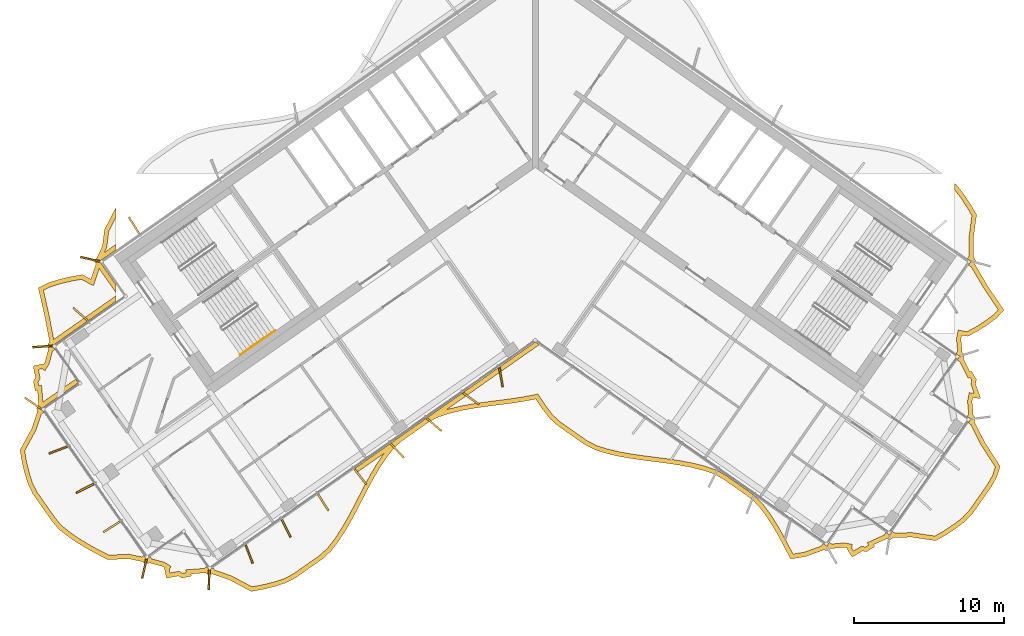
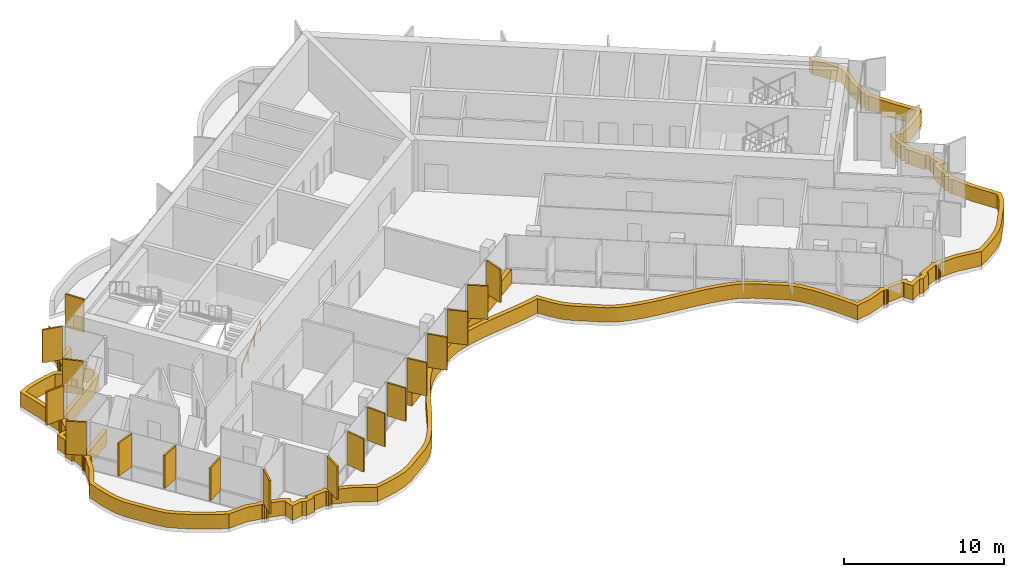
# One storey, part 13 of 17: 19 shading devices, 1 railing.
"""IFC4 building model written with IfcOpenShell, lengths in metres."""

import ifcopenshell
import ifcopenshell.guid

model = None  # the IFC model being written
_history = None  # IfcOwnerHistory: only IFC2X3 demands one
_inside = {}  # id of a spatial element -> (the spatial element, [elements in it])
_under = {}  # id of a project, library or spatial element -> (it, [spatial elements below it])
_declared = {}  # id of a project -> (the project, [libraries it declares])
_typed = {}  # id of a type object -> (the type object, [elements of that type])
_made_of = {}  # id of a material, layer set ... -> (it, [elements and type objects made of it])


def new_model(schema):
    """Start an empty IFC model of exactly this schema.

    Asked for "IFC4X3", IfcOpenShell would pick the latest addendum, in which some entities
    have other attributes; the version numbers below select the first issue.
    IFC2X3 requires an IfcOwnerHistory on every rooted entity: one is made here for all.
    """
    global model, _history
    if schema == "IFC4X3":
        model = ifcopenshell.file(schema_version=(4, 3, 0, 0))
    else:
        model = ifcopenshell.file(schema=schema)
    _inside.clear()
    _under.clear()
    _declared.clear()
    _typed.clear()
    _made_of.clear()
    _history = None
    if model.schema == "IFC2X3":
        org = make("IfcOrganization", Name="unknown")
        user = make(
            "IfcPersonAndOrganization",
            ThePerson=make("IfcPerson", FamilyName="unknown"),
            TheOrganization=org,
        )
        app = make(
            "IfcApplication",
            ApplicationDeveloper=org,
            Version="unknown",
            ApplicationFullName="unknown",
            ApplicationIdentifier="unknown",
        )
        _history = make(
            "IfcOwnerHistory",
            OwningUser=user,
            OwningApplication=app,
            ChangeAction="ADDED",
            CreationDate=0,
        )
    return model


def make(cls, **values):
    """One entity of the class cls with the attributes given. An attribute that is None is left unset."""
    return model.create_entity(
        cls, **{name: value for name, value in values.items() if value is not None}
    )


def rooted(cls, **values):
    """An entity with a GlobalId (a new one), such as an element, a storey or a relation."""
    return make(cls, GlobalId=ifcopenshell.guid.new(), OwnerHistory=_history, **values)


def si_unit(unit_type, name, prefix=None):
    """IfcSIUnit, for example si_unit("LENGTHUNIT", "METRE", prefix="MILLI")."""
    return make("IfcSIUnit", UnitType=unit_type, Prefix=prefix, Name=name)


def assignment(units):
    """IfcUnitAssignment: the units of a project."""
    return None if units is None else make("IfcUnitAssignment", Units=units)


def point(xyz):
    """IfcCartesianPoint."""
    return None if xyz is None else make("IfcCartesianPoint", Coordinates=xyz)


def direction(xyz):
    """IfcDirection."""
    return None if xyz is None else make("IfcDirection", DirectionRatios=xyz)


def frame(location, z_axis=None, x_axis=None):
    """IfcAxis2Placement3D, a coordinate frame: its origin and axes. An axis left out is left unset."""
    return make(
        "IfcAxis2Placement3D",
        Location=point(location),
        Axis=direction(z_axis),
        RefDirection=direction(x_axis),
    )


def frame_2d(location, x_axis=None):
    """IfcAxis2Placement2D, a coordinate frame in the plane: its origin and x axis."""
    return make(
        "IfcAxis2Placement2D", Location=point(location), RefDirection=direction(x_axis)
    )


def origin():
    """The frame at (0, 0, 0) with its axes left unset."""
    return frame((0.0, 0.0, 0.0))


def origin_2d():
    """The frame at (0, 0) in the plane with its x axis left unset."""
    return frame_2d((0.0, 0.0))


def place(relative_to, where):
    """IfcLocalPlacement: puts the frame where relative to a parent placement (None: the world)."""
    return make(
        "IfcLocalPlacement", PlacementRelTo=relative_to, RelativePlacement=where
    )


def context(
    kind, dimensions, precision=None, world=None, true_north=None, identifier=None
):
    """IfcGeometricRepresentationContext, for example the 3D "Model" context."""
    return make(
        "IfcGeometricRepresentationContext",
        ContextIdentifier=identifier,
        ContextType=kind,
        CoordinateSpaceDimension=dimensions,
        Precision=precision,
        WorldCoordinateSystem=world,
        TrueNorth=true_north,
    )


def subcontext(parent, identifier, kind, view, scale=None):
    """IfcGeometricRepresentationSubContext, for example "Body" below "Model"."""
    return make(
        "IfcGeometricRepresentationSubContext",
        ContextIdentifier=identifier,
        ContextType=kind,
        ParentContext=parent,
        TargetScale=scale,
        TargetView=view,
    )


def project(units=None, contexts=None):
    """IfcProject with its units and contexts."""
    return rooted(
        "IfcProject",
        Name="project",
        RepresentationContexts=contexts,
        UnitsInContext=assignment(units),
    )


def spatial(cls, under=None, at=None, **own):
    """A site, building, storey or space (cls), placed at a placement, below another one or the project."""
    s = rooted(cls, ObjectPlacement=at, **own)
    if under is not None:
        _under.setdefault(under.id(), (under, []))[1].append(s)
    return s


def polyline(points):
    """IfcPolyline through the points."""
    return make("IfcPolyline", Points=[point(p) for p in points])


def profile(cls, at=None, kind="AREA", **sizes):
    """A parametric profile (cls). Its sizes go by their IFC names, for example OverallWidth=200.0."""
    return make(cls, ProfileType=kind, Position=at, **sizes)


def rectangle(**sizes):
    """IfcRectangleProfileDef."""
    return profile("IfcRectangleProfileDef", **sizes)


def circle(**sizes):
    """IfcCircleProfileDef."""
    return profile("IfcCircleProfileDef", **sizes)


def outline(outer, holes=None, kind="AREA"):
    """IfcArbitraryClosedProfileDef: a profile drawn as a closed curve; with holes, ...WithVoids."""
    if holes is None:
        return make("IfcArbitraryClosedProfileDef", ProfileType=kind, OuterCurve=outer)
    return make(
        "IfcArbitraryProfileDefWithVoids",
        ProfileType=kind,
        OuterCurve=outer,
        InnerCurves=holes,
    )


def extrude(swept, where, along, depth):
    """IfcExtrudedAreaSolid: the profile swept, set in the frame where, extruded along a direction by depth."""
    return make(
        "IfcExtrudedAreaSolid",
        SweptArea=swept,
        Position=where,
        ExtrudedDirection=direction(along),
        Depth=depth,
    )


def shape(context_of_items, identifier, shape_type, items):
    """IfcShapeRepresentation: the items that make up one representation, for example the "Body"."""
    return make(
        "IfcShapeRepresentation",
        ContextOfItems=context_of_items,
        RepresentationIdentifier=identifier,
        RepresentationType=shape_type,
        Items=items,
    )


def material(Name=None, Category=None):
    """IfcMaterial."""
    return make("IfcMaterial", Name=Name, Category=Category)


def layer(
    of_material, thickness, ventilated=None, Name=None, Category=None, Priority=None
):
    """IfcMaterialLayer: one layer of a wall or slab, of a material (None: an air gap)."""
    return make(
        "IfcMaterialLayer",
        Material=of_material,
        LayerThickness=thickness,
        IsVentilated=ventilated,
        Name=Name,
        Category=Category,
        Priority=Priority,
    )


def layer_set(layers, Name=None):
    """IfcMaterialLayerSet."""
    return make("IfcMaterialLayerSet", MaterialLayers=layers, LayerSetName=Name)


def made_of(thing, what):
    """Note that an element or type object is made of a material, layer set ...; save() writes the relation."""
    if what is not None:
        _made_of.setdefault(what.id(), (what, []))[1].append(thing)
    return thing


def type_object(cls, material=None, **own):
    """A type object (cls), such as IfcWallType, which elements share."""
    return made_of(rooted(cls, **own), material)


def element(
    cls,
    number,
    at=None,
    inside=None,
    cuts=None,
    type_object=None,
    material=None,
    context=None,
    identifier="Body",
    shape_type=None,
    held_by="IfcProductDefinitionShape",
    body=None,
    shapes=None,
    **own,
):
    """One element of the class cls, such as IfcWall. Its Tag is "e" and its number.

    at: its placement. inside: the storey or other place that contains it. cuts: it is an
    opening in that element (IfcRelVoidsElement). A single representation is given by context,
    identifier, shape_type and body (its items); several are given by shapes. held_by: the class
    of the entity that holds the representations. save() writes the other relations.
    """
    e = rooted(cls, Tag="e%d" % number, ObjectPlacement=at, **own)
    if body is not None:
        shapes = [shape(context, identifier, shape_type, body)]
    if shapes is not None:
        e.Representation = make(held_by, Representations=shapes)
    if inside is not None:
        _inside.setdefault(inside.id(), (inside, []))[1].append(e)
    if cuts is not None:
        rooted(
            "IfcRelVoidsElement", RelatingBuildingElement=cuts, RelatedOpeningElement=e
        )
    if type_object is not None:
        _typed.setdefault(type_object.id(), (type_object, []))[1].append(e)
    return made_of(e, material)


def aggregate(whole, parts):
    """IfcRelAggregates: a whole, such as a stair, and the parts it consists of."""
    return rooted("IfcRelAggregates", RelatingObject=whole, RelatedObjects=parts)


def save(model, path):
    """Write the relations noted so far, then the file.

    IfcRelAggregates (storeys below a building ...), IfcRelContainedInSpatialStructure (elements
    in a storey), IfcRelDefinesByType, IfcRelAssociatesMaterial and IfcRelDeclares: one each for
    every whole, place, type object, material and project.
    """
    for whole, parts in _under.values():
        aggregate(whole, parts)
    for where, things in _inside.values():
        rooted(
            "IfcRelContainedInSpatialStructure",
            RelatedElements=things,
            RelatingStructure=where,
        )
    for kind, things in _typed.values():
        rooted("IfcRelDefinesByType", RelatedObjects=things, RelatingType=kind)
    for what, things in _made_of.values():
        rooted("IfcRelAssociatesMaterial", RelatedObjects=things, RelatingMaterial=what)
    for by, libraries in _declared.values():
        rooted("IfcRelDeclares", RelatingContext=by, RelatedDefinitions=libraries)
    model.write(path)


model = new_model("IFC4")

# Units and contexts
model_context = context("Model", 3, precision=1e-05, world=origin(), true_north=direction((0.0, 1.0)))
body_context = subcontext(model_context, "Body", "Model", "MODEL_VIEW")
ifc_project = project(units=[si_unit("LENGTHUNIT", "METRE"), si_unit("AREAUNIT", "SQUARE_METRE"), si_unit("VOLUMEUNIT", "CUBIC_METRE"), si_unit("PLANEANGLEUNIT", "RADIAN"), si_unit("MASSUNIT", "GRAM", prefix="KILO")], contexts=[model_context])

# Site, building, storey
site_placement = place(None, origin())
site = spatial("IfcSite", under=ifc_project, at=site_placement, CompositionType="ELEMENT")
building_placement = place(site_placement, origin())
building = spatial("IfcBuilding", under=site, at=building_placement, Name="Tel Ilan Convention Tower", CompositionType="ELEMENT")
storey_placement = place(building_placement, frame((0.0, 0.0, 291.699951171875)))
storey = spatial("IfcBuildingStorey", under=building, at=storey_placement, Name="L69", CompositionType="ELEMENT", Elevation=291.699951171875)

# Shading devices
ifc_material_1 = material(Name="Aluminium, bronze anodised", Category="aluminium")
ifc_layer_1 = layer(ifc_material_1, 0.1201171875)
ifc_layer_set_1 = layer_set([ifc_layer_1], Name="FIN BRONZE 1300x120")
shading_device_type_1 = type_object("IfcShadingDeviceType", Name="FIN BRONZE 1300x120", PredefinedType="USERDEFINED", material=ifc_layer_set_1)
for number, where, z_axis, x_axis, name in (
    (1, (-26.674072265625, -5.063720703125, 1.10009765625), (0.0, 0.0, 1.0), (-0.533204432798, 0.845986425922, 0.0), "FIN"),
    (2, (-29.594970703125, -7.31494140625, 1.10009765625), (0.0, 0.0, 1.0), (-0.975235208752, 0.221170268371, 0.0), "FIN"),
    (3, (-30.22607421875, -10.977294921875, 1.10009765625), (0.0, 0.0, 1.0), (-0.753435896329, 0.657521368568, 0.0), "FIN"),
    (4, (-32.76611328125, -13.12109375, 1.10009765625), (0.0, 0.0, 1.0), (-0.997697449973, -0.067821812994, 0.0), "FIN"),
    (5, (-33.3974609375, -16.88037109375, 1.10009765625), (0.0, 0.0, 1.0), (-0.819152044289, 0.573576436351, 0.0), "FIN"),
    (6, (-31.708984375, -19.998046875, 1.10009765625), (0.0, 0.0, 1.0), (-0.932883704733, -0.360177724803, 0.0), "FIN"),
    (7, (-29.929443359375, -22.55078125, 1.10009765625), (0.0, 0.0, 1.0), (-0.893632640321, -0.448799180206, 0.0), "FIN"),
    (8, (-28.144287109375, -25.100830078125, 1.10009765625), (0.0, 0.0, 1.0), (-0.845986425922, -0.533204432798, 0.0), "FIN"),
    (9, (-25.987060546875, -27.887451171875, 1.10009765625), (0.0, 0.0, 1.0), (-0.221170268371, -0.975235208752, 0.0), "FIN"),
    (10, (-21.68505859375, -28.645751953125, 1.10009765625), (0.0, 0.0, 1.0), (-0.029084718749, -0.999576950082, 0.0), "FIN"),
    (11, (-19.015380859375, -26.920166015625, 1.10009765625), (0.0, 0.0, 1.0), (0.360177724803, -0.932883704733, 0.0), "FIN"),
    (12, (-16.553955078125, -25.20458984375, 1.10009765625), (0.0, 0.0, 1.0), (0.448799180206, -0.893632640321, 0.0), "FIN"),
    (13, (-14.09521484375, -23.483154296875, 1.10009765625), (0.0, 0.0, 1.0), (0.533204432798, -0.845986425922, 0.0), "FIN"),
    (14, (-11.636474609375, -21.761474609375, 1.10009765625), (0.0, 0.0, 1.0), (0.612600545196, -0.790392669516, 0.0), "FIN"),
    (15, (-9.177978515625, -20.039794921875, 1.10009765625), (0.0, 0.0, 1.0), (0.686241637865, -0.727373641577, 0.0), "FIN"),
    (16, (-6.723876953125, -18.3134765625, 1.10009765625), (0.0, 0.0, 1.0), (0.753435896329, -0.657521368568, 0.0), "FIN"),
    (17, (-4.2744140625, -16.583251953125, 1.10009765625), (0.0, 0.0, 1.0), (0.813552070258, -0.581492071294, 0.0), "FIN"),
    (18, (-2.280029296875, -15.1640625, 1.10009765625), (0.0, 0.0, 1.0), (0.173648177667, -0.984807753012, 0.0), "FIN"),
):
    element("IfcShadingDevice", number, at=place(storey_placement, frame(where, z_axis=z_axis, x_axis=x_axis)), inside=storey, type_object=shading_device_type_1, Name=name, ObjectType="FIN", PredefinedType="USERDEFINED", context=body_context, shape_type="SweptSolid", body=[
        extrude(rectangle(XDim=1.300048828125, YDim=0.1201171875, at=origin_2d()), origin(), (0.0, 0.0, 1.0), 2.52001953125),
    ])
ifc_material_2 = material(Name="Aluminium, bronze anodised", Category="aluminium")
ifc_layer_2 = layer(ifc_material_2, 0.300048828125)
ifc_layer_set_2 = layer_set([ifc_layer_2], Name="LOUVRE BAND 300x1100")
shading_device_type_2 = type_object("IfcShadingDeviceType", Name="LOUVRE BAND 300x1100", PredefinedType="USERDEFINED", material=ifc_layer_set_2)
shading_device_placement = place(storey_placement, origin())
element("IfcShadingDevice", 19, at=shading_device_placement, inside=storey, type_object=shading_device_type_2, Name="LOUVRE BAND 52.01", ObjectType="LOUVRE", PredefinedType="USERDEFINED", context=body_context, shape_type="SweptSolid", body=[
    extrude(outline(polyline([(-33.47021484375, -18.574462890625), (-34.248779296875, -19.995849609375), (-34.1181640625, -20.780517578125), (-33.940185546875, -21.531982421875), (-33.7158203125, -22.2509765625), (-33.401611328125, -22.906982421875), (-32.166748046875, -24.670654296875), (-31.707763671875, -25.22509765625), (-31.125732421875, -25.69384765625), (-30.49462890625, -26.1279296875), (-29.82373046875, -26.5341796875), (-29.12353515625, -26.920166015625), (-28.398193359375, -27.288330078125), (-27.05419921875, -27.223388671875), (-26.083984375, -27.420166015625), (-26.05517578125, -27.46337890625), (-25.957763671875, -27.5283203125), (-25.843017578125, -27.55126953125), (-25.728271484375, -27.5283203125), (-25.674072265625, -27.492431640625), (-24.7724609375, -27.73388671875), (-24.61669921875, -27.828857421875), (-24.64697265625, -27.878662109375), (-24.51416015625, -28.518310546875), (-23.728759765625, -28.3701171875), (-23.49462890625, -28.5126953125), (-22.855224609375, -28.3798828125), (-22.8828125, -28.233154296875), (-21.90576171875, -28.15673828125), (-21.876953125, -28.2001953125), (-21.779541015625, -28.26513671875), (-21.664794921875, -28.2880859375), (-21.550048828125, -28.26513671875), (-21.49609375, -28.22900390625), (-20.311279296875, -28.64013671875), (-18.883544921875, -29.3984375), (-18.087646484375, -29.25439453125), (-17.32080078125, -29.068359375), (-16.588623046875, -28.833251953125), (-15.931640625, -28.490478515625), (-14.12646484375, -27.226318359375), (-13.582763671875, -26.721923828125), (-13.1123046875, -26.113037109375), (-12.67626953125, -25.454833984375), (-12.267333984375, -24.7578125), (-11.87744140625, -24.0341796875), (-11.11572265625, -22.56005859375), (-10.724853515625, -21.83740234375), (-10.314697265625, -21.142333984375), (-9.877197265625, -20.486572265625), (-9.404541015625, -19.88037109375), (-8.85498046875, -19.384765625), (-7.049560546875, -18.12060546875), (-6.386474609375, -17.78662109375), (-5.65234375, -17.55419921875), (-4.884033203125, -17.370849609375), (-4.088623046875, -17.225830078125), (-3.274658203125, -17.107421875), (-1.629150390625, -16.895751953125), (-0.816650390625, -16.775146484375), (0.03369140625, -16.6123046875), (0.481201171875, -17.28466796875), (0.956298828125, -17.894287109375), (1.509765625, -18.392333984375), (3.325927734375, -19.663818359375), (3.99609375, -19.9951171875), (4.73583984375, -20.22705078125), (5.510009765625, -20.40966796875), (6.311279296875, -20.553955078125), (7.130615234375, -20.672119140625), (8.785888671875, -20.885009765625), (9.601806640625, -21.008056640625), (10.3974609375, -21.16015625), (11.16455078125, -21.353271484375), (11.8955078125, -21.59765625), (12.540283203125, -21.965087890625), (14.356201171875, -23.23681640625), (14.88330078125, -23.7724609375), (15.349853515625, -24.39453125), (15.782958984375, -25.064453125), (16.18994140625, -25.771728515625), (16.57958984375, -26.50341796875), (16.96240234375, -27.2451171875), (17.983642578125, -27.074951171875), (19.202392578125, -26.623046875), (19.25634765625, -26.6591796875), (19.37109375, -26.681884765625), (19.486083984375, -26.6591796875), (19.583251953125, -26.593994140625), (19.6123046875, -26.55078125), (20.542236328125, -26.469482421875), (20.72119140625, -26.50537109375), (20.709716796875, -26.5625), (21.052978515625, -27.1181640625), (21.740478515625, -26.710205078125), (22.00927734375, -26.76416015625), (22.564697265625, -26.420654296875), (22.488525390625, -26.292236328125), (23.380615234375, -25.88623046875), (23.4345703125, -25.92236328125), (23.54931640625, -25.9453125), (23.6640625, -25.92236328125), (23.761474609375, -25.857421875), (23.79052734375, -25.81396484375), (25.015625, -25.789306640625), (26.617919921875, -26.0283203125), (27.311767578125, -25.631591796875), (27.9609375, -25.203369140625), (28.5625, -24.741943359375), (29.068603515625, -24.213623046875), (30.31298828125, -22.436767578125), (30.669189453125, -21.803466796875), (30.8984375, -21.081298828125), (29.872314453125, -19.47998046875), (29.18212890625, -18.114013671875), (29.218017578125, -18.06005859375), (29.240966796875, -17.9453125), (29.218017578125, -17.830322265625), (29.153076171875, -17.733154296875), (29.10986328125, -17.7041015625), (29.028564453125, -16.774169921875), (29.080322265625, -16.5166015625), (29.61181640625, -16.583740234375), (29.26171875, -15.613037109375), (29.3232421875, -15.30712890625), (28.979736328125, -14.751708984375), (28.889404296875, -14.80517578125), (28.4453125, -13.935791015625), (28.4814453125, -13.8818359375), (28.504150390625, -13.76708984375), (28.4814453125, -13.652099609375), (28.416259765625, -13.554931640625), (28.373046875, -13.52587890625), (28.291748046875, -12.595947265625), (28.33642578125, -12.373291015625), (28.752685546875, -12.44189453125), (29.445068359375, -12.072265625), (30.077880859375, -11.660888671875), (30.66748046875, -11.218994140625), (31.151123046875, -10.703125), (30.056640625, -9.082275390625), (29.199951171875, -7.6279296875), (29.236083984375, -7.57373046875), (29.2587890625, -7.458984375), (29.236083984375, -7.34423828125), (29.1708984375, -7.246826171875), (29.127685546875, -7.218017578125), (29.10986328125, -5.95947265625), (29.331298828125, -4.35888671875), (28.922119140625, -3.659423828125), (28.48388671875, -3.001220703125), (28.0107421875, -2.392822265625), (27.874755859375, -2.269287109375), (27.874755859375, -2.70654296875), (28.240234375, -3.176513671875), (28.66748046875, -3.818359375), (29.02001953125, -4.420654296875), (28.809326171875, -5.941162109375), (28.829345703125, -7.12109375), (28.713134765625, -7.286865234375), (28.958740234375, -7.458984375), (28.787353515625, -7.705322265625), (28.97900390625, -7.83935546875), (29.802734375, -9.2421875), (30.7685546875, -10.672607421875), (30.466552734375, -10.99462890625), (29.906005859375, -11.414794921875), (29.292236328125, -11.813720703125), (28.701171875, -12.12939453125), (28.099365234375, -12.0302734375), (27.989013671875, -12.579833984375), (28.067626953125, -13.439208984375), (27.95849609375, -13.594970703125), (28.204345703125, -13.76708984375), (28.03271484375, -14.01318359375), (28.21630859375, -14.141845703125), (28.766845703125, -15.226806640625), (28.87939453125, -15.159912109375), (29.005859375, -15.3642578125), (28.951171875, -15.635986328125), (29.163330078125, -16.224853515625), (28.841064453125, -16.18408203125), (28.725830078125, -16.758056640625), (28.80419921875, -17.617431640625), (28.6953125, -17.773193359375), (28.94091796875, -17.9453125), (28.76953125, -18.19140625), (28.95263671875, -18.319580078125), (29.611328125, -19.62890625), (30.56982421875, -21.12451171875), (30.392578125, -21.68310546875), (30.05859375, -22.276611328125), (28.836181640625, -24.022705078125), (28.36181640625, -24.517822265625), (27.78662109375, -24.958740234375), (27.154541015625, -25.3759765625), (26.559326171875, -25.71630859375), (25.034423828125, -25.48876953125), (23.886474609375, -25.51513671875), (23.721435546875, -25.3994140625), (23.54931640625, -25.645263671875), (23.30322265625, -25.473876953125), (23.1787109375, -25.6513671875), (22.059326171875, -26.156982421875), (22.156494140625, -26.320556640625), (21.9521484375, -26.44677734375), (21.6865234375, -26.393310546875), (21.1533203125, -26.709716796875), (21.027099609375, -26.505615234375), (21.07421875, -26.2705078125), (20.558349609375, -26.166748046875), (19.698974609375, -26.245361328125), (19.543212890625, -26.13623046875), (19.37109375, -26.382080078125), (19.125, -26.21044921875), (19.00732421875, -26.378662109375), (17.90673828125, -26.78369140625), (17.12890625, -26.913330078125), (16.452392578125, -25.626220703125), (16.0390625, -24.908203125), (15.59619140625, -24.222900390625), (15.111328125, -23.576416015625), (14.55078125, -23.0068359375), (12.700927734375, -21.71142578125), (12.0185546875, -21.322509765625), (11.248779296875, -21.06494140625), (10.46240234375, -20.866943359375), (9.65234375, -20.712158203125), (8.827392578125, -20.587890625), (7.171142578125, -20.374755859375), (6.359375, -20.2578125), (5.571044921875, -20.11572265625), (4.815185546875, -19.9375), (4.108154296875, -19.7158203125), (3.479248046875, -19.405029296875), (1.697021484375, -18.156982421875), (1.1767578125, -17.68896484375), (0.724609375, -17.10888671875), (0.29541015625, -16.465576171875), (0.1787109375, -16.2666015625), (-0.087890625, -16.33349609375), (-0.866455078125, -16.479248046875), (-1.67041015625, -16.5986328125), (-3.315185546875, -16.81005859375), (-4.136962890625, -16.9296875), (-4.945556640625, -17.0771484375), (-5.732666015625, -17.264892578125), (-5.906005859375, -17.31982421875), (0.261474609375, -13.001220703125), (0.0, -12.818115234375), (-12.00537109375, -21.224365234375), (-11.833251953125, -21.47021484375), (-10.0517578125, -20.22265625), (-10.12060546875, -20.310791015625), (-10.56884765625, -20.982666015625), (-10.986083984375, -21.68994140625), (-11.380859375, -22.419677734375), (-12.142578125, -23.89404296875), (-12.529052734375, -24.61083984375), (-12.930908203125, -25.2958984375), (-13.356201171875, -25.938232421875), (-13.804931640625, -26.518798828125), (-14.315185546875, -26.992431640625), (-16.087890625, -28.233642578125), (-16.704833984375, -28.555419921875), (-17.402099609375, -28.779541015625), (-18.149658203125, -28.960693359375), (-18.83447265625, -29.084716796875), (-20.19140625, -28.3642578125), (-21.302978515625, -27.981689453125), (-21.418701171875, -27.816650390625), (-21.664794921875, -27.988037109375), (-21.8369140625, -27.7421875), (-22.01513671875, -27.8671875), (-23.239990234375, -27.959228515625), (-23.20458984375, -28.14599609375), (-23.439697265625, -28.19482421875), (-23.671142578125, -28.053955078125), (-24.2802734375, -28.1689453125), (-24.3291015625, -27.933837890625), (-24.204345703125, -27.72900390625), (-24.65380859375, -27.455078125), (-25.48828125, -27.23486328125), (-25.5966796875, -27.079833984375), (-25.843017578125, -27.251220703125), (-26.01513671875, -27.005615234375), (-26.15478515625, -27.103271484375), (-27.03076171875, -26.921875), (-28.333251953125, -26.98486328125), (-28.983154296875, -26.65478515625), (-29.673583984375, -26.2744140625), (-30.331787109375, -25.8759765625), (-30.946533203125, -25.453125), (-31.495849609375, -25.010498046875), (-31.927978515625, -24.488525390625), (-33.141845703125, -22.755126953125), (-33.43603515625, -22.140869140625), (-33.650634765625, -21.45263671875), (-33.823974609375, -20.72119140625), (-33.935791015625, -20.048828125), (-33.1943359375, -18.6953125), (-32.833251953125, -17.61865234375), (-32.66845703125, -17.50341796875), (-32.840576171875, -17.257568359375), (-30.383056640625, -15.536865234375), (-30.55517578125, -15.291015625), (-32.726806640625, -16.811767578125), (-32.811767578125, -15.6826171875), (-32.998779296875, -15.7177734375), (-33.047607421875, -15.482666015625), (-32.906494140625, -15.251220703125), (-33.021484375, -14.64208984375), (-32.786376953125, -14.59326171875), (-32.58154296875, -14.718017578125), (-32.3076171875, -14.268798828125), (-32.087646484375, -13.434326171875), (-31.931884765625, -13.3251953125), (-32.103759765625, -13.079345703125), (-27.874755859375, -10.1181640625), (-27.874755859375, -9.751953125), (-32.006591796875, -12.64501953125), (-32.314697265625, -11.033447265625), (-32.68798828125, -9.385986328125), (-32.26708984375, -9.168701171875), (-31.5771484375, -8.950439453125), (-30.838623046875, -8.77392578125), (-30.161376953125, -8.65625), (-29.363525390625, -9.087646484375), (-28.9892578125, -7.938720703125), (-27.874755859375, -9.530029296875), (-27.874755859375, -9.007080078125), (-28.958740234375, -7.458984375), (-27.874755859375, -6.699951171875), (-27.874755859375, -6.333740234375), (-28.640380859375, -6.869873046875), (-28.480224609375, -6.525634765625), (-28.343994140625, -5.44384765625), (-27.874755859375, -4.536376953125), (-27.874755859375, -3.881103515625), (-28.635009765625, -5.353271484375), (-28.772216796875, -6.441650390625), (-29.127685546875, -7.218017578125), (-29.1708984375, -7.246826171875), (-29.236083984375, -7.34423828125), (-29.2587890625, -7.458984375), (-29.236083984375, -7.57373046875), (-29.199951171875, -7.6279296875), (-29.537353515625, -8.652587890625), (-30.110107421875, -8.3427734375), (-30.899169921875, -8.47998046875), (-31.6572265625, -8.661376953125), (-32.3818359375, -8.890380859375), (-33.031982421875, -9.225830078125), (-32.6083984375, -11.094970703125), (-32.272705078125, -12.83837890625), (-32.31591796875, -12.8671875), (-32.381103515625, -12.964599609375), (-32.40380859375, -13.079345703125), (-32.381103515625, -13.1943359375), (-32.344970703125, -13.248291015625), (-32.586669921875, -14.14990234375), (-32.681640625, -14.3056640625), (-32.7314453125, -14.275390625), (-33.370849609375, -14.408203125), (-33.22265625, -15.193603515625), (-33.365478515625, -15.427734375), (-33.232666015625, -16.067138671875), (-33.0859375, -16.03955078125), (-33.009521484375, -17.0166015625), (-33.052734375, -17.04541015625), (-33.11767578125, -17.142822265625), (-33.140625, -17.257568359375), (-33.11767578125, -17.372314453125), (-33.081787109375, -17.426513671875), (-33.47021484375, -18.574462890625)])), origin(), (0.0, 0.0, 1.0), 1.10009765625),
])

# Railing
ifc_material_3 = material(Name="Stainless Steel Grade 316", Category="steel")
railing_type = type_object("IfcRailingType", Name="Stainless Steel Stair Handrail 900 mm", PredefinedType="HANDRAIL", material=ifc_material_3)
railing_placement = place(storey_placement, frame((-19.6064453125, -13.66748046875, 0.17724609375)))
element("IfcRailing", 20, at=railing_placement, inside=storey, type_object=railing_type, Name="L69 S2 stair handrail 1", PredefinedType="HANDRAIL", context=body_context, shape_type="SweptSolid", body=[
    extrude(circle(Radius=0.02392578125, at=origin_2d()), frame((0.0, 0.0, 0.8759765625), z_axis=(0.692123088272, 0.484596665743, 0.534912798717), x_axis=(-0.573550118428, 0.819170471667, 0.0)), (0.0, 0.0, 1.0), 3.31396484375),
    extrude(circle(Radius=0.02099609375, at=origin_2d()), origin(), (0.0, 0.0, 1.0), 0.851806640625),
    extrude(circle(Radius=0.02099609375, at=origin_2d()), frame((0.7646484375, 0.535400390625, 0.5908203125)), (0.0, 0.0, 1.0), 0.851806640625),
    extrude(circle(Radius=0.02099609375, at=origin_2d()), frame((1.529052734375, 1.070556640625, 1.181884765625)), (0.0, 0.0, 1.0), 0.851806640625),
    extrude(circle(Radius=0.02099609375, at=origin_2d()), frame((2.293701171875, 1.60595703125, 1.772705078125)), (0.0, 0.0, 1.0), 0.851806640625),
])

save(model, "model.ifc")
